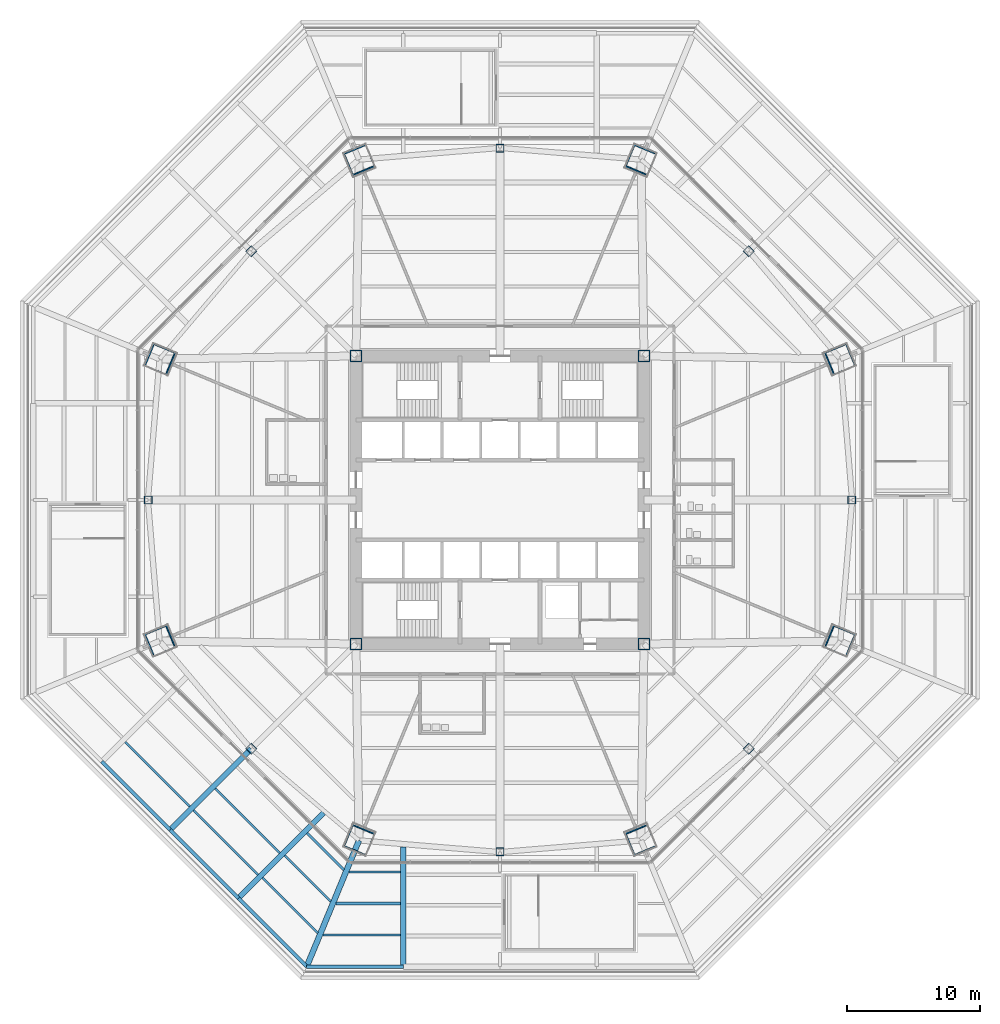
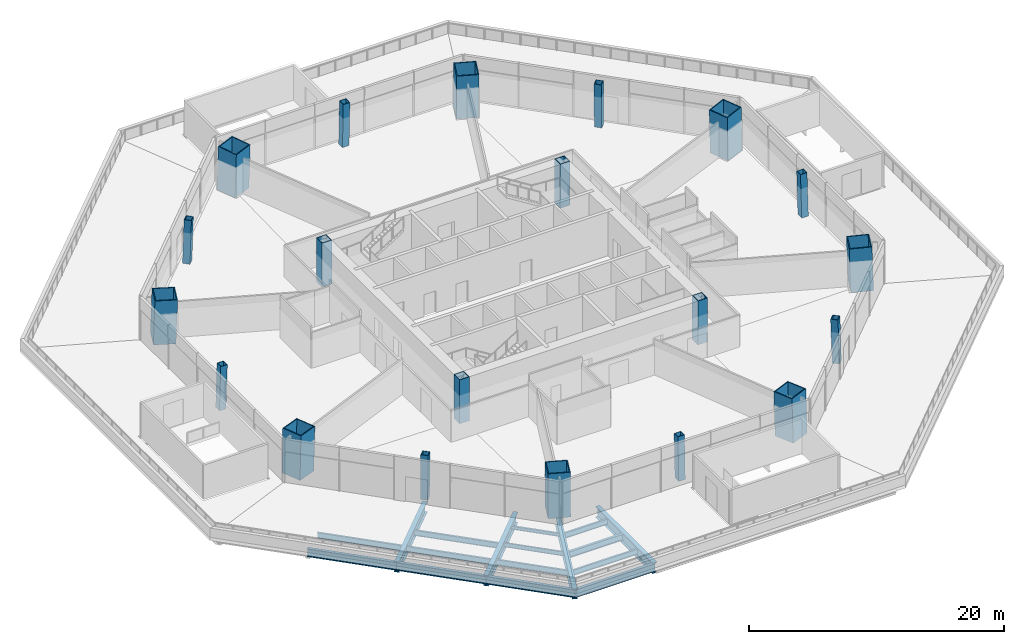
# One storey, part 1 of 25: 20 columns, 17 beams.
"""IFC4 building model written with IfcOpenShell, lengths in metres."""

import ifcopenshell
import ifcopenshell.guid

model = None  # the IFC model being written
_history = None  # IfcOwnerHistory: only IFC2X3 demands one
_inside = {}  # id of a spatial element -> (the spatial element, [elements in it])
_under = {}  # id of a project, library or spatial element -> (it, [spatial elements below it])
_declared = {}  # id of a project -> (the project, [libraries it declares])
_typed = {}  # id of a type object -> (the type object, [elements of that type])
_made_of = {}  # id of a material, layer set ... -> (it, [elements and type objects made of it])


def new_model(schema):
    """Start an empty IFC model of exactly this schema.

    Asked for "IFC4X3", IfcOpenShell would pick the latest addendum, in which some entities
    have other attributes; the version numbers below select the first issue.
    IFC2X3 requires an IfcOwnerHistory on every rooted entity: one is made here for all.
    """
    global model, _history
    if schema == "IFC4X3":
        model = ifcopenshell.file(schema_version=(4, 3, 0, 0))
    else:
        model = ifcopenshell.file(schema=schema)
    _inside.clear()
    _under.clear()
    _declared.clear()
    _typed.clear()
    _made_of.clear()
    _history = None
    if model.schema == "IFC2X3":
        org = make("IfcOrganization", Name="unknown")
        user = make(
            "IfcPersonAndOrganization",
            ThePerson=make("IfcPerson", FamilyName="unknown"),
            TheOrganization=org,
        )
        app = make(
            "IfcApplication",
            ApplicationDeveloper=org,
            Version="unknown",
            ApplicationFullName="unknown",
            ApplicationIdentifier="unknown",
        )
        _history = make(
            "IfcOwnerHistory",
            OwningUser=user,
            OwningApplication=app,
            ChangeAction="ADDED",
            CreationDate=0,
        )
    return model


def make(cls, **values):
    """One entity of the class cls with the attributes given. An attribute that is None is left unset."""
    return model.create_entity(
        cls, **{name: value for name, value in values.items() if value is not None}
    )


def rooted(cls, **values):
    """An entity with a GlobalId (a new one), such as an element, a storey or a relation."""
    return make(cls, GlobalId=ifcopenshell.guid.new(), OwnerHistory=_history, **values)


def si_unit(unit_type, name, prefix=None):
    """IfcSIUnit, for example si_unit("LENGTHUNIT", "METRE", prefix="MILLI")."""
    return make("IfcSIUnit", UnitType=unit_type, Prefix=prefix, Name=name)


def assignment(units):
    """IfcUnitAssignment: the units of a project."""
    return None if units is None else make("IfcUnitAssignment", Units=units)


def point(xyz):
    """IfcCartesianPoint."""
    return None if xyz is None else make("IfcCartesianPoint", Coordinates=xyz)


def direction(xyz):
    """IfcDirection."""
    return None if xyz is None else make("IfcDirection", DirectionRatios=xyz)


def frame(location, z_axis=None, x_axis=None):
    """IfcAxis2Placement3D, a coordinate frame: its origin and axes. An axis left out is left unset."""
    return make(
        "IfcAxis2Placement3D",
        Location=point(location),
        Axis=direction(z_axis),
        RefDirection=direction(x_axis),
    )


def frame_2d(location, x_axis=None):
    """IfcAxis2Placement2D, a coordinate frame in the plane: its origin and x axis."""
    return make(
        "IfcAxis2Placement2D", Location=point(location), RefDirection=direction(x_axis)
    )


def origin():
    """The frame at (0, 0, 0) with its axes left unset."""
    return frame((0.0, 0.0, 0.0))


def origin_2d():
    """The frame at (0, 0) in the plane with its x axis left unset."""
    return frame_2d((0.0, 0.0))


def place(relative_to, where):
    """IfcLocalPlacement: puts the frame where relative to a parent placement (None: the world)."""
    return make(
        "IfcLocalPlacement", PlacementRelTo=relative_to, RelativePlacement=where
    )


def context(
    kind, dimensions, precision=None, world=None, true_north=None, identifier=None
):
    """IfcGeometricRepresentationContext, for example the 3D "Model" context."""
    return make(
        "IfcGeometricRepresentationContext",
        ContextIdentifier=identifier,
        ContextType=kind,
        CoordinateSpaceDimension=dimensions,
        Precision=precision,
        WorldCoordinateSystem=world,
        TrueNorth=true_north,
    )


def subcontext(parent, identifier, kind, view, scale=None):
    """IfcGeometricRepresentationSubContext, for example "Body" below "Model"."""
    return make(
        "IfcGeometricRepresentationSubContext",
        ContextIdentifier=identifier,
        ContextType=kind,
        ParentContext=parent,
        TargetScale=scale,
        TargetView=view,
    )


def project(units=None, contexts=None):
    """IfcProject with its units and contexts."""
    return rooted(
        "IfcProject",
        Name="project",
        RepresentationContexts=contexts,
        UnitsInContext=assignment(units),
    )


def spatial(cls, under=None, at=None, **own):
    """A site, building, storey or space (cls), placed at a placement, below another one or the project."""
    s = rooted(cls, ObjectPlacement=at, **own)
    if under is not None:
        _under.setdefault(under.id(), (under, []))[1].append(s)
    return s


def profile(cls, at=None, kind="AREA", **sizes):
    """A parametric profile (cls). Its sizes go by their IFC names, for example OverallWidth=200.0."""
    return make(cls, ProfileType=kind, Position=at, **sizes)


def hollow_rectangle(**sizes):
    """IfcRectangleHollowProfileDef."""
    return profile("IfcRectangleHollowProfileDef", **sizes)


def i_section(**sizes):
    """IfcIShapeProfileDef."""
    return profile("IfcIShapeProfileDef", **sizes)


def extrude(swept, where, along, depth):
    """IfcExtrudedAreaSolid: the profile swept, set in the frame where, extruded along a direction by depth."""
    return make(
        "IfcExtrudedAreaSolid",
        SweptArea=swept,
        Position=where,
        ExtrudedDirection=direction(along),
        Depth=depth,
    )


def shape(context_of_items, identifier, shape_type, items):
    """IfcShapeRepresentation: the items that make up one representation, for example the "Body"."""
    return make(
        "IfcShapeRepresentation",
        ContextOfItems=context_of_items,
        RepresentationIdentifier=identifier,
        RepresentationType=shape_type,
        Items=items,
    )


def material(Name=None, Category=None):
    """IfcMaterial."""
    return make("IfcMaterial", Name=Name, Category=Category)


def material_profile(
    of_material, cross_section, Name=None, Category=None, Priority=None
):
    """IfcMaterialProfile: a cross section and its material."""
    return make(
        "IfcMaterialProfile",
        Name=Name,
        Material=of_material,
        Profile=cross_section,
        Priority=Priority,
        Category=Category,
    )


def profile_set(profiles, Name=None, composite=None):
    """IfcMaterialProfileSet."""
    return make(
        "IfcMaterialProfileSet",
        Name=Name,
        MaterialProfiles=profiles,
        CompositeProfile=composite,
    )


def made_of(thing, what):
    """Note that an element or type object is made of a material, layer set ...; save() writes the relation."""
    if what is not None:
        _made_of.setdefault(what.id(), (what, []))[1].append(thing)
    return thing


def type_object(cls, material=None, **own):
    """A type object (cls), such as IfcWallType, which elements share."""
    return made_of(rooted(cls, **own), material)


def element(
    cls,
    number,
    at=None,
    inside=None,
    cuts=None,
    type_object=None,
    material=None,
    context=None,
    identifier="Body",
    shape_type=None,
    held_by="IfcProductDefinitionShape",
    body=None,
    shapes=None,
    **own,
):
    """One element of the class cls, such as IfcWall. Its Tag is "e" and its number.

    at: its placement. inside: the storey or other place that contains it. cuts: it is an
    opening in that element (IfcRelVoidsElement). A single representation is given by context,
    identifier, shape_type and body (its items); several are given by shapes. held_by: the class
    of the entity that holds the representations. save() writes the other relations.
    """
    e = rooted(cls, Tag="e%d" % number, ObjectPlacement=at, **own)
    if body is not None:
        shapes = [shape(context, identifier, shape_type, body)]
    if shapes is not None:
        e.Representation = make(held_by, Representations=shapes)
    if inside is not None:
        _inside.setdefault(inside.id(), (inside, []))[1].append(e)
    if cuts is not None:
        rooted(
            "IfcRelVoidsElement", RelatingBuildingElement=cuts, RelatedOpeningElement=e
        )
    if type_object is not None:
        _typed.setdefault(type_object.id(), (type_object, []))[1].append(e)
    return made_of(e, material)


def aggregate(whole, parts):
    """IfcRelAggregates: a whole, such as a stair, and the parts it consists of."""
    return rooted("IfcRelAggregates", RelatingObject=whole, RelatedObjects=parts)


def save(model, path):
    """Write the relations noted so far, then the file.

    IfcRelAggregates (storeys below a building ...), IfcRelContainedInSpatialStructure (elements
    in a storey), IfcRelDefinesByType, IfcRelAssociatesMaterial and IfcRelDeclares: one each for
    every whole, place, type object, material and project.
    """
    for whole, parts in _under.values():
        aggregate(whole, parts)
    for where, things in _inside.values():
        rooted(
            "IfcRelContainedInSpatialStructure",
            RelatedElements=things,
            RelatingStructure=where,
        )
    for kind, things in _typed.values():
        rooted("IfcRelDefinesByType", RelatedObjects=things, RelatingType=kind)
    for what, things in _made_of.values():
        rooted("IfcRelAssociatesMaterial", RelatedObjects=things, RelatingMaterial=what)
    for by, libraries in _declared.values():
        rooted("IfcRelDeclares", RelatingContext=by, RelatedDefinitions=libraries)
    model.write(path)


model = new_model("IFC4")

# Units and contexts
model_context = context("Model", 3, precision=1e-05, world=origin(), true_north=direction((0.0, 1.0)))
body_context = subcontext(model_context, "Body", "Model", "MODEL_VIEW")
ifc_project = project(units=[si_unit("LENGTHUNIT", "METRE"), si_unit("AREAUNIT", "SQUARE_METRE"), si_unit("VOLUMEUNIT", "CUBIC_METRE"), si_unit("PLANEANGLEUNIT", "RADIAN"), si_unit("MASSUNIT", "GRAM", prefix="KILO")], contexts=[model_context])

# Site, building, storey
site_placement = place(None, origin())
site = spatial("IfcSite", under=ifc_project, at=site_placement, CompositionType="ELEMENT")
building_placement = place(site_placement, origin())
building = spatial("IfcBuilding", under=site, at=building_placement, Name="Mashrafa Tower", CompositionType="ELEMENT")
storey_placement = place(building_placement, frame((0.0, 0.0, 28.800048828125)))
storey = spatial("IfcBuildingStorey", under=building, at=storey_placement, Name="L05", CompositionType="ELEMENT", Elevation=28.800048828125)

# Columns
ifc_material_1 = material(Name="Steel ASTM A572 Gr 50", Category="steel")
ifc_material_profile_1 = material_profile(ifc_material_1, hollow_rectangle(XDim=0.89990234375, YDim=0.89990234375, WallThickness=0.06005859375, at=origin_2d()), Name="BOX900X900X60")
ifc_profile_set_1 = profile_set([ifc_material_profile_1], Name="Steel ASTM A572 Gr 50")
column_type_1 = type_object("IfcColumnType", Name="Core corner column BOX900X900X60", PredefinedType="COLUMN", material=ifc_profile_set_1)
for number, where, z_axis, x_axis, name in (
    (1, (10.800048828125, 10.800048828125, 0.0), (0.0, 0.0, 1.0), (1.0, 0.0, 0.0), "Core corner column CC-NE L05"),
    (2, (-10.800048828125, 10.800048828125, 0.0), (0.0, 0.0, 1.0), (1.0, 0.0, 0.0), "Core corner column CC-NW L05"),
    (3, (-10.800048828125, -10.800048828125, 0.0), (0.0, 0.0, 1.0), (1.0, 0.0, 0.0), "Core corner column CC-SW L05"),
    (4, (10.800048828125, -10.800048828125, 0.0), (0.0, 0.0, 1.0), (1.0, 0.0, 0.0), "Core corner column CC-SE L05"),
):
    element("IfcColumn", number, at=place(storey_placement, frame(where, z_axis=z_axis, x_axis=x_axis)), inside=storey, type_object=column_type_1, Name=name, PredefinedType="COLUMN", context=body_context, shape_type="SweptSolid", body=[
        extrude(hollow_rectangle(XDim=0.89990234375, YDim=0.89990234375, WallThickness=0.06005859375, at=origin_2d()), origin(), (0.0, 0.0, 1.0), 4.199951171875),
    ])
ifc_material_2 = material(Name="Steel ASTM A572 Gr 50", Category="steel")
ifc_material_profile_2 = material_profile(ifc_material_2, hollow_rectangle(XDim=1.800048828125, YDim=1.800048828125, WallThickness=0.0849609375, at=origin_2d()), Name="BOX1800X1800X85")
ifc_profile_set_2 = profile_set([ifc_material_profile_2], Name="Steel ASTM A572 Gr 50")
column_type_2 = type_object("IfcColumnType", Name="Mega column CFST BOX1800X1800X85", PredefinedType="COLUMN", material=ifc_profile_set_2)
for number, where, z_axis, x_axis, name in (
    (5, (25.521728515625, 10.571533203125, 0.0), (-0.028237674468, -0.01173664659, 0.999532333078), (0.38380575713, -0.923413851312, 0.0), "Mega column MC1 L05"),
    (6, (10.571533203125, 25.521728515625, 0.0), (-0.01173664659, -0.028237674468, 0.999532333078), (0.923413851312, -0.38380575713, 0.0), "Mega column MC2 L05"),
    (7, (-10.571533203125, 25.521728515625, 0.0), (0.01173664659, -0.028237674468, 0.999532333078), (0.923413851312, 0.38380575713, 0.0), "Mega column MC3 L05"),
    (8, (-25.521728515625, 10.571533203125, 0.0), (0.028237674468, -0.01173664659, 0.999532333078), (0.38380575713, 0.923413851312, 0.0), "Mega column MC4 L05"),
    (9, (-25.521728515625, -10.571533203125, 0.0), (0.028237674468, 0.01173664659, 0.999532333078), (-0.38380575713, 0.923413851312, 0.0), "Mega column MC5 L05"),
    (10, (-10.571533203125, -25.521728515625, 0.0), (0.01173664659, 0.028237674468, 0.999532333078), (-0.923413851312, 0.38380575713, 0.0), "Mega column MC6 L05"),
    (11, (10.571533203125, -25.521728515625, 0.0), (-0.01173664659, 0.028237674468, 0.999532333078), (-0.923413851312, -0.38380575713, 0.0), "Mega column MC7 L05"),
    (12, (25.521728515625, -10.571533203125, 0.0), (-0.028237674468, 0.01173664659, 0.999532333078), (-0.38380575713, -0.923413851312, 0.0), "Mega column MC8 L05"),
):
    element("IfcColumn", number, at=place(storey_placement, frame(where, z_axis=z_axis, x_axis=x_axis)), inside=storey, type_object=column_type_2, Name=name, PredefinedType="COLUMN", context=body_context, shape_type="SweptSolid", body=[
        extrude(hollow_rectangle(XDim=1.800048828125, YDim=1.800048828125, WallThickness=0.0849609375, at=origin_2d()), origin(), (0.0, 0.0, 1.0), 4.201904296875),
    ])
ifc_material_3 = material(Name="Steel ASTM A572 Gr 50", Category="steel")
ifc_material_profile_3 = material_profile(ifc_material_3, hollow_rectangle(XDim=0.60009765625, YDim=0.60009765625, WallThickness=0.031982421875, at=origin_2d()), Name="BOX600X600X32")
ifc_profile_set_3 = profile_set([ifc_material_profile_3], Name="Steel ASTM A572 Gr 50")
column_type_3 = type_object("IfcColumnType", Name="Secondary column BOX600X600X32", PredefinedType="COLUMN", material=ifc_profile_set_3)
for number, where, z_axis, x_axis, name in (
    (13, (26.39990234375, 0.0, 0.0), (-0.028239619523, 0.0, 0.999601182417), (0.0, -1.0, 0.0), "Secondary column SC1 L05"),
    (14, (18.667724609375, 18.667724609375, 0.0), (-0.020046580746, -0.020046580746, 0.99959805382), (0.707106781187, -0.707106781187, 0.0), "Secondary column SC2 L05"),
    (15, (0.0, 26.39990234375, 0.0), (0.0, -0.028239619523, 0.999601182417), (1.0, 0.0, 0.0), "Secondary column SC3 L05"),
    (16, (-18.667724609375, 18.667724609375, 0.0), (0.020046580746, -0.020046580746, 0.99959805382), (0.707106781187, 0.707106781187, 0.0), "Secondary column SC4 L05"),
    (17, (-26.39990234375, 0.0, 0.0), (0.028239619523, 0.0, 0.999601182417), (0.0, 1.0, 0.0), "Secondary column SC5 L05"),
    (18, (-18.667724609375, -18.667724609375, 0.0), (0.020046580746, 0.020046580746, 0.99959805382), (-0.707106781187, 0.707106781187, 0.0), "Secondary column SC6 L05"),
    (19, (0.0, -26.39990234375, 0.0), (0.0, 0.028239619523, 0.999601182417), (-1.0, 0.0, 0.0), "Secondary column SC7 L05"),
    (20, (18.667724609375, -18.667724609375, 0.0), (-0.020046580746, 0.020046580746, 0.99959805382), (-0.707106781187, -0.707106781187, 0.0), "Secondary column SC8 L05"),
):
    element("IfcColumn", number, at=place(storey_placement, frame(where, z_axis=z_axis, x_axis=x_axis)), inside=storey, type_object=column_type_3, Name=name, PredefinedType="COLUMN", context=body_context, shape_type="SweptSolid", body=[
        extrude(hollow_rectangle(XDim=0.60009765625, YDim=0.60009765625, WallThickness=0.031982421875, at=origin_2d()), origin(), (0.0, 0.0, 1.0), 4.20166015625),
    ])

# Beams
ifc_material_4 = material(Name="Steel ASTM A992", Category="steel")
ifc_material_profile_4 = material_profile(ifc_material_4, i_section(OverallWidth=0.164794921875, OverallDepth=0.309814453125, WebThickness=0.005859375, FlangeThickness=0.009765625, FilletRadius=0.007568359375, at=origin_2d()), Name="W12X26")
ifc_profile_set_4 = profile_set([ifc_material_profile_4], Name="Steel ASTM A992")
beam_type_1 = type_object("IfcBeamType", Name="Beam W12X26", PredefinedType="BEAM", material=ifc_profile_set_4)
beam_1_placement = place(storey_placement, frame((-11.718017578125, -27.7353515625, -0.455078125), z_axis=(-0.707075290537, 0.707138270433, 0.0), x_axis=(-0.707138270433, -0.707075290537, 0.0)))
element("IfcBeam", 21, at=beam_1_placement, inside=storey, type_object=beam_type_1, Name="Floor beam L05 053", PredefinedType="BEAM", context=body_context, shape_type="SweptSolid", body=[
    extrude(i_section(OverallWidth=0.164794921875, OverallDepth=0.309814453125, WebThickness=0.005859375, FlangeThickness=0.009765625, FilletRadius=0.007568359375, at=origin_2d()), origin(), (0.0, 0.0, 1.0), 3.87646484375),
])
ifc_material_5 = material(Name="Steel ASTM A992", Category="steel")
ifc_material_profile_5 = material_profile(ifc_material_5, i_section(OverallWidth=0.140380859375, OverallDepth=0.40380859375, WebThickness=0.007080078125, FlangeThickness=0.01123046875, FilletRadius=0.01025390625, at=origin_2d()), Name="W16X31")
ifc_profile_set_5 = profile_set([ifc_material_profile_5], Name="Steel ASTM A992")
beam_type_2 = type_object("IfcBeamType", Name="Beam W16X31", PredefinedType="BEAM", material=ifc_profile_set_5)
beam_2_placement = place(storey_placement, frame((-12.698486328125, -30.102783203125, -0.501953125), z_axis=(-0.707106781187, 0.707106781187, 0.0), x_axis=(-0.707106781187, -0.707106781187, 0.0)))
element("IfcBeam", 22, at=beam_2_placement, inside=storey, type_object=beam_type_2, Name="Floor beam L05 051", PredefinedType="BEAM", context=body_context, shape_type="SweptSolid", body=[
    extrude(i_section(OverallWidth=0.140380859375, OverallDepth=0.40380859375, WebThickness=0.007080078125, FlangeThickness=0.01123046875, FilletRadius=0.01025390625, at=origin_2d()), origin(), (0.0, 0.0, 1.0), 4.857177734375),
])
ifc_material_6 = material(Name="Steel ASTM A992", Category="steel")
ifc_material_profile_6 = material_profile(ifc_material_6, i_section(OverallWidth=0.1650390625, OverallDepth=0.52587890625, WebThickness=0.0087890625, FlangeThickness=0.011474609375, FilletRadius=0.0126953125, at=origin_2d()), Name="W21X44")
ifc_profile_set_6 = profile_set([ifc_material_profile_6], Name="Steel ASTM A992")
beam_type_3 = type_object("IfcBeamType", Name="Beam W21X44", PredefinedType="BEAM", material=ifc_profile_set_6)
for number, where, z_axis, x_axis, name in (
    (23, (-13.67919921875, -32.47021484375, -0.56298828125), (-0.707106781187, 0.707106781187, 0.0), (-0.707106781187, -0.707106781187, 0.0), "Floor beam L05 045"),
    (24, (-7.449462890625, -32.632568359375, -0.56298828125), (-1.0, 0.0, 0.0), (0.0, -1.0, 0.0), "Floor beam L05 062"),
):
    element("IfcBeam", number, at=place(storey_placement, frame(where, z_axis=z_axis, x_axis=x_axis)), inside=storey, type_object=beam_type_3, Name=name, PredefinedType="BEAM", context=body_context, shape_type="SweptSolid", body=[
        extrude(i_section(OverallWidth=0.1650390625, OverallDepth=0.52587890625, WebThickness=0.0087890625, FlangeThickness=0.011474609375, FilletRadius=0.0126953125, at=origin_2d()), origin(), (0.0, 0.0, 1.0), 5.837890625),
    ])
ifc_material_7 = material(Name="Steel ASTM A992", Category="steel")
ifc_material_profile_7 = material_profile(ifc_material_7, i_section(OverallWidth=0.165771484375, OverallDepth=0.5283203125, WebThickness=0.009765625, FlangeThickness=0.013671875, FilletRadius=0.012939453125, at=origin_2d()), Name="W21X50")
ifc_profile_set_7 = profile_set([ifc_material_profile_7], Name="Steel ASTM A992")
beam_type_4 = type_object("IfcBeamType", Name="Beam W21X50", PredefinedType="BEAM", material=ifc_profile_set_7)
for number, where, z_axis, x_axis, name in (
    (25, (-23.265380859375, -22.981689453125, -0.564208984375), (-0.707124607932, 0.707088953991, 0.0), (-0.707088953991, -0.707124607932, 0.0), "Floor beam L05 020"),
    (26, (-18.139892578125, -28.107421875, -0.564208984375), (-0.707088953991, 0.707124607932, 0.0), (-0.707124607932, -0.707088953991, 0.0), "Floor beam L05 032"),
    (27, (-16.5146484375, -26.482177734375, -0.564208984375), (-0.707088953991, 0.707124607932, 0.0), (-0.707124607932, -0.707088953991, 0.0), "Floor beam L05 036"),
):
    element("IfcBeam", number, at=place(storey_placement, frame(where, z_axis=z_axis, x_axis=x_axis)), inside=storey, type_object=beam_type_4, Name=name, PredefinedType="BEAM", context=body_context, shape_type="SweptSolid", body=[
        extrude(i_section(OverallWidth=0.165771484375, OverallDepth=0.5283203125, WebThickness=0.009765625, FlangeThickness=0.013671875, FilletRadius=0.012939453125, at=origin_2d()), origin(), (0.0, 0.0, 1.0), 6.847412109375),
    ])
beam_3_placement = place(storey_placement, frame((-7.449462890625, -27.897705078125, -0.564208984375), z_axis=(-1.0, 0.0, 0.0), x_axis=(0.0, -1.0, 0.0)))
element("IfcBeam", 28, at=beam_3_placement, inside=storey, type_object=beam_type_4, Name="Floor beam L05 064", PredefinedType="BEAM", context=body_context, shape_type="SweptSolid", body=[
    extrude(i_section(OverallWidth=0.165771484375, OverallDepth=0.5283203125, WebThickness=0.009765625, FlangeThickness=0.013671875, FilletRadius=0.012939453125, at=origin_2d()), origin(), (0.0, 0.0, 1.0), 3.87646484375),
])
ifc_material_8 = material(Name="Steel ASTM A992", Category="steel")
ifc_material_profile_8 = material_profile(ifc_material_8, i_section(OverallWidth=0.227783203125, OverallDepth=0.60205078125, WebThickness=0.010498046875, FlangeThickness=0.014892578125, FilletRadius=0.012939453125, at=origin_2d()), Name="W24X68")
ifc_profile_set_8 = profile_set([ifc_material_profile_8], Name="Steel ASTM A992")
beam_type_5 = type_object("IfcBeamType", Name="Beam W24X68", PredefinedType="BEAM", material=ifc_profile_set_8)
beam_4_placement = place(storey_placement, frame((-7.449462890625, -30.26513671875, -0.60107421875), z_axis=(-1.0, 0.0, 0.0), x_axis=(0.0, -1.0, 0.0)))
element("IfcBeam", 29, at=beam_4_placement, inside=storey, type_object=beam_type_5, Name="Floor beam L05 063", PredefinedType="BEAM", context=body_context, shape_type="SweptSolid", body=[
    extrude(i_section(OverallWidth=0.227783203125, OverallDepth=0.60205078125, WebThickness=0.010498046875, FlangeThickness=0.014892578125, FilletRadius=0.012939453125, at=origin_2d()), origin(), (0.0, 0.0, 1.0), 4.857177734375),
])
ifc_material_9 = material(Name="Steel ASTM A992", Category="steel")
ifc_material_profile_9 = material_profile(ifc_material_9, i_section(OverallWidth=0.2666015625, OverallDepth=0.761962890625, WebThickness=0.014404296875, FlangeThickness=0.021484375, FilletRadius=0.0166015625, at=origin_2d()), Name="W30X116")
ifc_profile_set_9 = profile_set([ifc_material_profile_9], Name="Steel ASTM A992")
beam_type_6 = type_object("IfcBeamType", Name="Beam W30X116", PredefinedType="BEAM", material=ifc_profile_set_9)
for number, where, z_axis, x_axis, name in (
    (30, (-29.87451171875, -19.623046875, -0.68115234375), (0.707106781187, -0.707106781187, 0.0), (0.707106781187, 0.707106781187, 0.0), "Podium edge beam L05 150"),
    (31, (-24.748779296875, -24.748779296875, -0.68115234375), (0.707106781187, -0.707106781187, 0.0), (0.707106781187, 0.707106781187, 0.0), "Podium edge beam L05 152"),
):
    element("IfcBeam", number, at=place(storey_placement, frame(where, z_axis=z_axis, x_axis=x_axis)), inside=storey, type_object=beam_type_6, Name=name, PredefinedType="BEAM", context=body_context, shape_type="SweptSolid", body=[
        extrude(i_section(OverallWidth=0.2666015625, OverallDepth=0.761962890625, WebThickness=0.014404296875, FlangeThickness=0.021484375, FilletRadius=0.0166015625, at=origin_2d()), origin(), (0.0, 0.0, 1.0), 7.248779296875),
    ])
beam_5_placement = place(storey_placement, frame((-19.623046875, -29.87451171875, -0.68115234375), z_axis=(0.707106781187, -0.707106781187, 0.0), x_axis=(0.707106781187, 0.707106781187, 0.0)))
element("IfcBeam", 32, at=beam_5_placement, inside=storey, type_object=beam_type_6, Name="Podium edge beam L05 154", PredefinedType="BEAM", context=body_context, shape_type="SweptSolid", body=[
    extrude(i_section(OverallWidth=0.2666015625, OverallDepth=0.761962890625, WebThickness=0.014404296875, FlangeThickness=0.021484375, FilletRadius=0.0166015625, at=origin_2d()), origin(), (0.0, 0.0, 1.0), 7.24853515625),
])
beam_6_placement = place(storey_placement, frame((-14.49755859375, -35.0, -0.68115234375), z_axis=(1.0, 0.0, 0.0), x_axis=(0.0, 1.0, 0.0)))
element("IfcBeam", 33, at=beam_6_placement, inside=storey, type_object=beam_type_6, Name="Podium edge beam L05 156", PredefinedType="BEAM", context=body_context, shape_type="SweptSolid", body=[
    extrude(i_section(OverallWidth=0.2666015625, OverallDepth=0.761962890625, WebThickness=0.014404296875, FlangeThickness=0.021484375, FilletRadius=0.0166015625, at=origin_2d()), origin(), (0.0, 0.0, 1.0), 7.248779296875),
])
ifc_material_10 = material(Name="Steel ASTM A992", Category="steel")
ifc_material_profile_10 = material_profile(ifc_material_10, i_section(OverallWidth=0.424072265625, OverallDepth=0.960205078125, WebThickness=0.028564453125, FlangeThickness=0.051025390625, FilletRadius=0.02001953125, at=origin_2d()), Name="W36X361")
ifc_profile_set_10 = profile_set([ifc_material_profile_10], Name="Steel ASTM A992")
beam_type_7 = type_object("IfcBeamType", Name="Beam W36X361", PredefinedType="BEAM", material=ifc_profile_set_10)
beam_7_placement = place(storey_placement, frame((-10.574951171875, -25.5302734375, -0.780029296875), z_axis=(-0.382693279242, -0.92387545374, 0.0), x_axis=(0.92387545374, -0.382693279242, 0.0)))
element("IfcBeam", 34, at=beam_7_placement, inside=storey, type_object=beam_type_7, Name="Podium radial beam L05 190", PredefinedType="BEAM", context=body_context, shape_type="SweptSolid", body=[
    extrude(i_section(OverallWidth=0.424072265625, OverallDepth=0.960205078125, WebThickness=0.028564453125, FlangeThickness=0.051025390625, FilletRadius=0.02001953125, at=origin_2d()), origin(), (0.0, 0.0, 1.0), 10.25),
])
ifc_material_11 = material(Name="Steel ASTM A992", Category="steel")
ifc_material_profile_11 = material_profile(ifc_material_11, i_section(OverallWidth=0.4013671875, OverallDepth=1.010986328125, WebThickness=0.023681640625, FlangeThickness=0.0419921875, FilletRadius=0.02001953125, at=origin_2d()), Name="W40X297")
ifc_profile_set_11 = profile_set([ifc_material_profile_11], Name="Steel ASTM A992")
beam_type_8 = type_object("IfcBeamType", Name="Beam W40X297", PredefinedType="BEAM", material=ifc_profile_set_11)
beam_8_placement = place(storey_placement, frame((-18.673583984375, -18.673583984375, -0.805419921875), z_axis=(-0.707106781187, -0.707106781187, 0.0), x_axis=(0.707106781187, -0.707106781187, 0.0)))
element("IfcBeam", 35, at=beam_8_placement, inside=storey, type_object=beam_type_8, Name="Podium radial beam L05 186", PredefinedType="BEAM", context=body_context, shape_type="SweptSolid", body=[
    extrude(i_section(OverallWidth=0.4013671875, OverallDepth=1.010986328125, WebThickness=0.023681640625, FlangeThickness=0.0419921875, FilletRadius=0.02001953125, at=origin_2d()), origin(), (0.0, 0.0, 1.0), 8.591552734375),
])
beam_9_placement = place(storey_placement, frame((-13.225830078125, -23.477294921875, -0.805419921875), z_axis=(-0.707106781187, -0.707106781187, 0.0), x_axis=(0.707106781187, -0.707106781187, 0.0)))
element("IfcBeam", 36, at=beam_9_placement, inside=storey, type_object=beam_type_8, Name="Podium radial beam L05 188", PredefinedType="BEAM", context=body_context, shape_type="SweptSolid", body=[
    extrude(i_section(OverallWidth=0.4013671875, OverallDepth=1.010986328125, WebThickness=0.023681640625, FlangeThickness=0.0419921875, FilletRadius=0.02001953125, at=origin_2d()), origin(), (0.0, 0.0, 1.0), 9.047119140625),
])
beam_10_placement = place(storey_placement, frame((-7.248779296875, -26.0078125, -0.805419921875), z_axis=(0.0, -1.0, 0.0), x_axis=(1.0, 0.0, 0.0)))
element("IfcBeam", 37, at=beam_10_placement, inside=storey, type_object=beam_type_8, Name="Podium radial beam L05 192", PredefinedType="BEAM", context=body_context, shape_type="SweptSolid", body=[
    extrude(i_section(OverallWidth=0.4013671875, OverallDepth=1.010986328125, WebThickness=0.023681640625, FlangeThickness=0.0419921875, FilletRadius=0.02001953125, at=origin_2d()), origin(), (0.0, 0.0, 1.0), 8.9921875),
])

save(model, "model.ifc")
